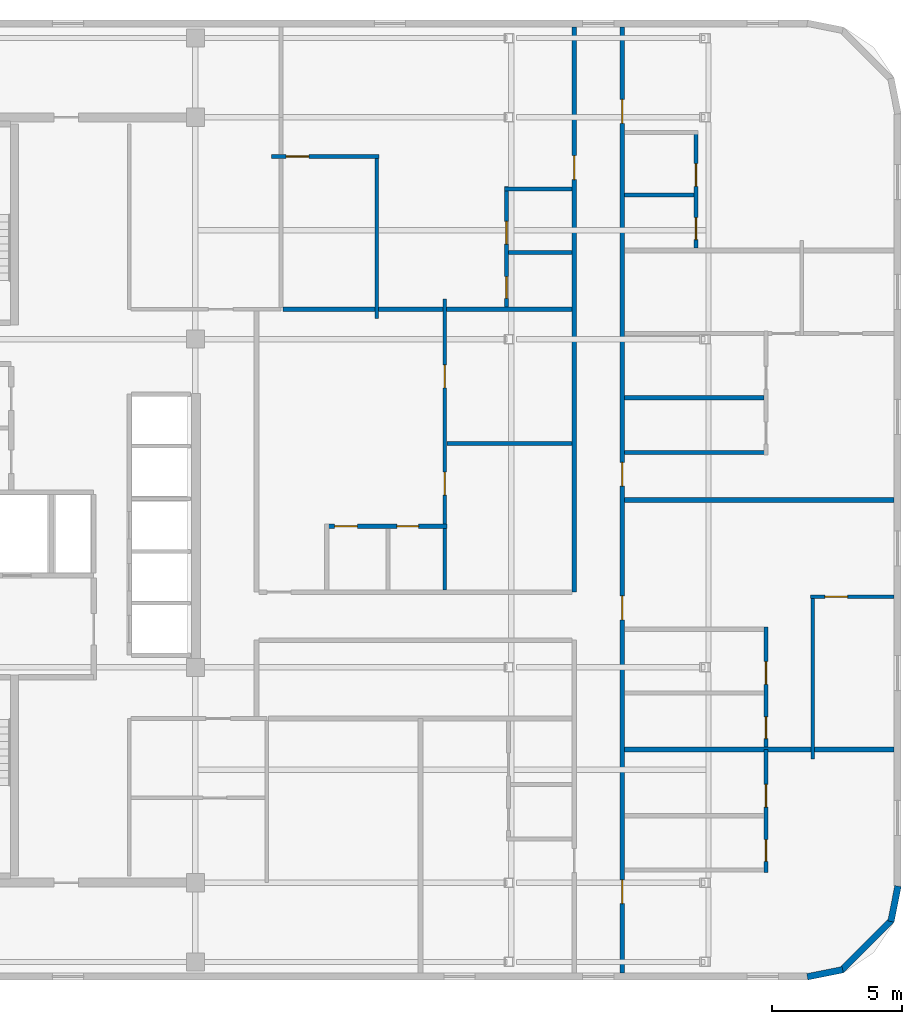
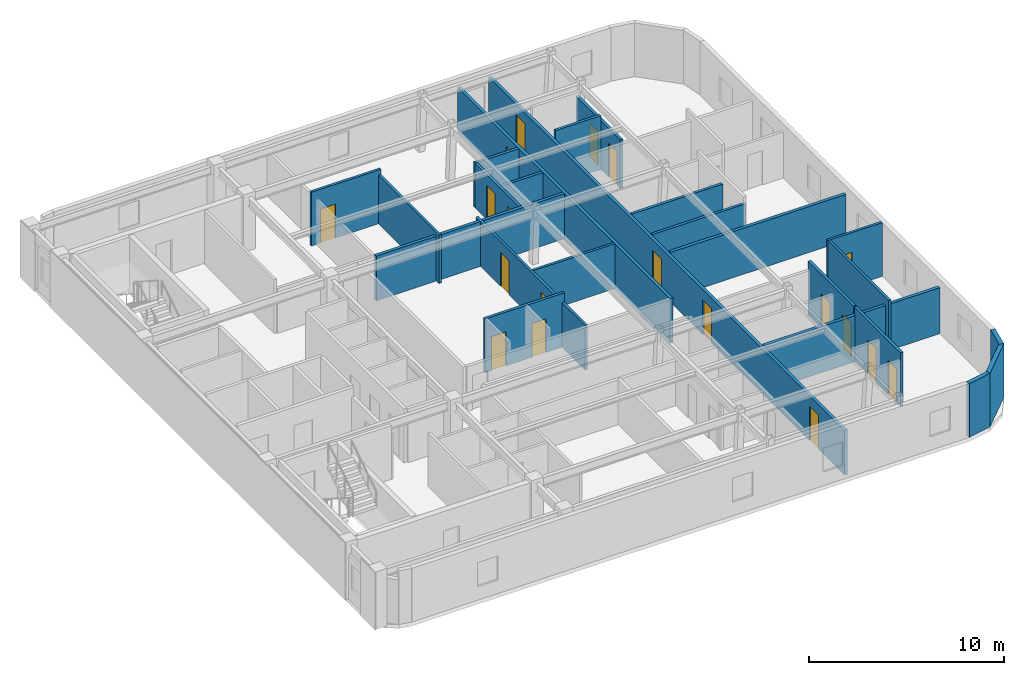
# One storey, part 4 of 7: 24 walls, 19 doors, 19 openings.
"""IFC4 building model written with IfcOpenShell, lengths in metres."""

from ifc_helpers import new_model, si_unit, direction, frame, frame_2d, origin, place, context, subcontext, project, spatial, rectangle, extrude, material, layer, layer_set, type_object, element, fill, save


model = new_model("IFC4")

# Units and contexts
model_context = context("Model", 3, precision=1e-05, world=origin(), true_north=direction((0.0, 1.0)))
body_context = subcontext(model_context, "Body", "Model", "MODEL_VIEW")
ifc_project = project(units=[si_unit("LENGTHUNIT", "METRE"), si_unit("AREAUNIT", "SQUARE_METRE"), si_unit("VOLUMEUNIT", "CUBIC_METRE"), si_unit("PLANEANGLEUNIT", "RADIAN"), si_unit("MASSUNIT", "GRAM", prefix="KILO")], contexts=[model_context])

# Site, building, storey
site_placement = place(None, origin())
site = spatial("IfcSite", under=ifc_project, at=site_placement, CompositionType="ELEMENT")
building_placement = place(site_placement, origin())
building = spatial("IfcBuilding", under=site, at=building_placement, Name="Ochreholt Gables", CompositionType="ELEMENT")
storey_placement = place(building_placement, frame((0.0, 0.0, 209.39990234375)))
storey = spatial("IfcBuildingStorey", under=building, at=storey_placement, Name="L54", CompositionType="ELEMENT", Elevation=209.39990234375)

# Walls
ifc_material_1 = material(Name="Precast concrete 40 MPa", Category="concrete")
ifc_layer_1 = layer(ifc_material_1, 0.25, Name="Precast concrete 40 MPa")
ifc_layer_set_1 = layer_set([ifc_layer_1], Name="Precast concrete 40 MPa")
wall_type_1 = type_object("IfcWallType", Name="WALL-EXT-CNR", PredefinedType="SOLIDWALL", material=ifc_layer_set_1)
wall_1_placement = place(storey_placement, frame((58.783447265625, 5.624267578125, 0.0), z_axis=(0.0, 0.0, 1.0), x_axis=(0.980809899341, 0.19496651342, 0.0)))
element("IfcWall", 1, at=wall_1_placement, inside=storey, type_object=wall_type_1, Name="L54 Rounded Corner Wall SE-1", PredefinedType="SOLIDWALL", context=body_context, shape_type="SweptSolid", body=[
    extrude(rectangle(XDim=1.388671875, YDim=0.25, at=frame_2d((0.6943359375, 0.0))), origin(), (0.0, 0.0, 1.0), 3.360107421875),
])
wall_2_placement = place(storey_placement, frame((60.094970703125, 5.867919921875, 0.0), z_axis=(0.0, 0.0, 1.0), x_axis=(0.707106781187, 0.707106781187, 0.0)))
element("IfcWall", 2, at=wall_2_placement, inside=storey, type_object=wall_type_1, Name="L54 Rounded Corner Wall SE-2", PredefinedType="SOLIDWALL", context=body_context, shape_type="SweptSolid", body=[
    extrude(rectangle(XDim=2.7392578125, YDim=0.25, at=frame_2d((1.36962890625, 0.0))), origin(), (0.0, 0.0, 1.0), 3.360107421875),
])
wall_3_placement = place(storey_placement, frame((62.0048828125, 7.75439453125, 0.0), z_axis=(0.0, 0.0, 1.0), x_axis=(0.195135625965, 0.9807762678, 0.0)))
element("IfcWall", 3, at=wall_3_placement, inside=storey, type_object=wall_type_1, Name="L54 Rounded Corner Wall SE-3", PredefinedType="SOLIDWALL", context=body_context, shape_type="SweptSolid", body=[
    extrude(rectangle(XDim=1.388671875, YDim=0.25, at=frame_2d((0.6943359375, 0.0))), origin(), (0.0, 0.0, 1.0), 3.360107421875),
])

# Wall, opening, door
ifc_material_2 = material(Name="Fire-Rated Gypsum Acoustic Partition", Category="gypsum")
ifc_layer_2 = layer(ifc_material_2, 0.179931640625, Name="Fire-Rated Gypsum Acoustic Partition")
ifc_layer_set_2 = layer_set([ifc_layer_2], Name="Fire-Rated Gypsum Acoustic Partition")
wall_type_2 = type_object("IfcWallType", Name="WALL-INT-CR180", PredefinedType="STANDARD", material=ifc_layer_set_2)
wall_4_placement = place(storey_placement, frame((49.800048828125, 20.449951171875, 0.0), z_axis=(0.0, 0.0, 1.0), x_axis=(0.0, 1.0, 0.0)))
wall_4 = element("IfcWall", 4, at=wall_4_placement, inside=storey, type_object=wall_type_2, Name="L54 Interior Wall WI-C3GW2-L54", PredefinedType="STANDARD", context=body_context, shape_type="SweptSolid", body=[
    extrude(rectangle(XDim=21.780029296875, YDim=0.179931640625, at=frame_2d((10.89013671875, 0.0))), origin(), (0.0, 0.0, 1.0), 2.802978515625),
])
opening_1_placement = place(wall_4_placement, frame((15.89990234375, 0.0, 0.0)))
opening_1 = element("IfcOpeningElement", 5, at=opening_1_placement, cuts=wall_4, Name="Opening D-UN1", PredefinedType="OPENING", context=body_context, shape_type="SweptSolid", body=[
    extrude(rectangle(XDim=0.919921875, YDim=2.14990234375, at=frame_2d((0.4599609375, 1.074951171875))), frame((0.0, 0.099853515625, 0.0), z_axis=(0.0, -1.0, 0.0), x_axis=(1.0, 0.0, 0.0)), (0.0, 0.0, 1.0), 0.199951171875),
])
ifc_material_3 = material(Name="Engineered Oak Timber", Category="wood")
door_type_1 = type_object("IfcDoorType", Name="DR-INT-UNT920", OperationType="NOTDEFINED", PredefinedType="DOOR", material=ifc_material_3)
door_1_placement = place(opening_1_placement, origin())
door_1 = element("IfcDoor", 6, at=door_1_placement, inside=storey, type_object=door_type_1, Name="L54 Door D-U-L54NM2-ENT", OperationType="SINGLE_SWING_LEFT", OverallHeight=2.14990234375, OverallWidth=0.919921875, PredefinedType="DOOR", context=body_context, shape_type="SweptSolid", body=[
    extrude(rectangle(XDim=0.919921875, YDim=2.14990234375, at=frame_2d((0.4599609375, 1.074951171875))), frame((0.0, 0.02490234375, 0.0), z_axis=(0.0, -1.0, 0.0), x_axis=(1.0, 0.0, 0.0)), (0.0, 0.0, 1.0), 0.050048828125),
])
fill(opening_1, door_1)

# Wall, openings, doors
wall_5_placement = place(storey_placement, frame((51.64990234375, 5.77001953125, 0.0), z_axis=(0.0, 0.0, 1.0), x_axis=(0.0, 1.0, 0.0)))
wall_5 = element("IfcWall", 7, at=wall_5_placement, inside=storey, type_object=wall_type_2, Name="L54 Interior Wall WI-C3GE-L54", PredefinedType="STANDARD", context=body_context, shape_type="SweptSolid", body=[
    extrude(rectangle(XDim=36.4599609375, YDim=0.179931640625, at=frame_2d((18.22998046875, 0.0))), origin(), (0.0, 0.0, 1.0), 2.802978515625),
])
opening_2_placement = place(wall_5_placement, frame((2.669921875, 0.0, 0.0)))
opening_2 = element("IfcOpeningElement", 8, at=opening_2_placement, cuts=wall_5, Name="Opening D-UN1", PredefinedType="OPENING", context=body_context, shape_type="SweptSolid", body=[
    extrude(rectangle(XDim=0.919921875, YDim=2.14990234375, at=frame_2d((0.4599609375, 1.074951171875))), frame((0.0, 0.099853515625, 0.0), z_axis=(0.0, -1.0, 0.0), x_axis=(1.0, 0.0, 0.0)), (0.0, 0.0, 1.0), 0.199951171875),
])
opening_3_placement = place(wall_5_placement, frame((13.610107421875, 0.0, 0.0)))
opening_3 = element("IfcOpeningElement", 9, at=opening_3_placement, cuts=wall_5, Name="Opening D-UN1", PredefinedType="OPENING", context=body_context, shape_type="SweptSolid", body=[
    extrude(rectangle(XDim=0.919921875, YDim=2.14990234375, at=frame_2d((0.4599609375, 1.074951171875))), frame((0.0, 0.099853515625, 0.0), z_axis=(0.0, -1.0, 0.0), x_axis=(1.0, 0.0, 0.0)), (0.0, 0.0, 1.0), 0.199951171875),
])
opening_4_placement = place(wall_5_placement, frame((18.760009765625, 0.0, 0.0)))
opening_4 = element("IfcOpeningElement", 10, at=opening_4_placement, cuts=wall_5, Name="Opening D-UN1", PredefinedType="OPENING", context=body_context, shape_type="SweptSolid", body=[
    extrude(rectangle(XDim=0.919921875, YDim=2.14990234375, at=frame_2d((0.4599609375, 1.074951171875))), frame((0.0, 0.099853515625, 0.0), z_axis=(0.0, -1.0, 0.0), x_axis=(1.0, 0.0, 0.0)), (0.0, 0.0, 1.0), 0.199951171875),
])
opening_5_placement = place(wall_5_placement, frame((32.75, 0.0, 0.0)))
opening_5 = element("IfcOpeningElement", 11, at=opening_5_placement, cuts=wall_5, Name="Opening D-UN1", PredefinedType="OPENING", context=body_context, shape_type="SweptSolid", body=[
    extrude(rectangle(XDim=0.919921875, YDim=2.14990234375, at=frame_2d((0.4599609375, 1.074951171875))), frame((0.0, 0.099853515625, 0.0), z_axis=(0.0, -1.0, 0.0), x_axis=(1.0, 0.0, 0.0)), (0.0, 0.0, 1.0), 0.199951171875),
])
door_2_placement = place(opening_2_placement, origin())
door_2 = element("IfcDoor", 12, at=door_2_placement, inside=storey, type_object=door_type_1, Name="L54 Door D-U-L54E1-ENT", OperationType="SINGLE_SWING_RIGHT", OverallHeight=2.14990234375, OverallWidth=0.919921875, PredefinedType="DOOR", context=body_context, shape_type="SweptSolid", body=[
    extrude(rectangle(XDim=0.919921875, YDim=2.14990234375, at=frame_2d((0.4599609375, 1.074951171875))), frame((0.0, 0.02490234375, 0.0), z_axis=(0.0, -1.0, 0.0), x_axis=(1.0, 0.0, 0.0)), (0.0, 0.0, 1.0), 0.050048828125),
])
fill(opening_2, door_2)
door_3_placement = place(opening_3_placement, origin())
door_3 = element("IfcDoor", 13, at=door_3_placement, inside=storey, type_object=door_type_1, Name="L54 Door D-U-L54E2-ENT", OperationType="SINGLE_SWING_LEFT", OverallHeight=2.14990234375, OverallWidth=0.919921875, PredefinedType="DOOR", context=body_context, shape_type="SweptSolid", body=[
    extrude(rectangle(XDim=0.919921875, YDim=2.14990234375, at=frame_2d((0.4599609375, 1.074951171875))), frame((0.0, 0.02490234375, 0.0), z_axis=(0.0, -1.0, 0.0), x_axis=(1.0, 0.0, 0.0)), (0.0, 0.0, 1.0), 0.050048828125),
])
fill(opening_3, door_3)
door_4_placement = place(opening_4_placement, origin())
door_4 = element("IfcDoor", 14, at=door_4_placement, inside=storey, type_object=door_type_1, Name="L54 Door D-U-L54E3-ENT", OperationType="SINGLE_SWING_RIGHT", OverallHeight=2.14990234375, OverallWidth=0.919921875, PredefinedType="DOOR", context=body_context, shape_type="SweptSolid", body=[
    extrude(rectangle(XDim=0.919921875, YDim=2.14990234375, at=frame_2d((0.4599609375, 1.074951171875))), frame((0.0, 0.02490234375, 0.0), z_axis=(0.0, -1.0, 0.0), x_axis=(1.0, 0.0, 0.0)), (0.0, 0.0, 1.0), 0.050048828125),
])
fill(opening_4, door_4)
door_5_placement = place(opening_5_placement, origin())
door_5 = element("IfcDoor", 15, at=door_5_placement, inside=storey, type_object=door_type_1, Name="L54 Door D-U-L54E4-ENT", OperationType="SINGLE_SWING_LEFT", OverallHeight=2.14990234375, OverallWidth=0.919921875, PredefinedType="DOOR", context=body_context, shape_type="SweptSolid", body=[
    extrude(rectangle(XDim=0.919921875, YDim=2.14990234375, at=frame_2d((0.4599609375, 1.074951171875))), frame((0.0, 0.02490234375, 0.0), z_axis=(0.0, -1.0, 0.0), x_axis=(1.0, 0.0, 0.0)), (0.0, 0.0, 1.0), 0.050048828125),
])
fill(opening_5, door_5)

# Walls
ifc_material_4 = material(Name="Double-Stud Acoustic Demising Wall", Category="gypsum")
ifc_layer_3 = layer(ifc_material_4, 0.18505859375, Name="Double-Stud Acoustic Demising Wall")
ifc_layer_set_3 = layer_set([ifc_layer_3], Name="Double-Stud Acoustic Demising Wall")
wall_type_3 = type_object("IfcWallType", Name="WALL-INT-DM185", PredefinedType="PARTITIONING", material=ifc_layer_set_3)
for number, where, z_axis, x_axis, name in (
    (16, (51.739990234375, 14.3798828125, 0.0), (0.0, 0.0, 1.0), (1.0, 0.0, 0.0), "L54 Interior Wall WI-C3UDE2-L54"),
    (17, (51.739990234375, 24.0, 0.0), (0.0, 0.0, 1.0), (1.0, 0.0, 0.0), "L54 Interior Wall WI-C3UDE3-L54"),
):
    element("IfcWall", number, at=place(storey_placement, frame(where, z_axis=z_axis, x_axis=x_axis)), inside=storey, type_object=wall_type_3, Name=name, PredefinedType="PARTITIONING", context=body_context, shape_type="SweptSolid", body=[
        extrude(rectangle(XDim=10.389892578125, YDim=0.18505859375, at=frame_2d((5.19482421875, 0.0))), origin(), (0.0, 0.0, 1.0), 2.879150390625),
    ])
wall_6_placement = place(storey_placement, frame((38.572509765625, 31.35009765625, 0.0), z_axis=(0.0, 0.0, 1.0), x_axis=(1.0, 0.0, 0.0)))
element("IfcWall", 18, at=wall_6_placement, inside=storey, type_object=wall_type_3, Name="L54 Interior Wall WI-C3NMY-L54", PredefinedType="PARTITIONING", context=body_context, shape_type="SweptSolid", body=[
    extrude(rectangle(XDim=11.137451171875, YDim=0.18505859375, at=frame_2d((5.56884765625, 0.0))), origin(), (0.0, 0.0, 1.0), 2.802978515625),
])

# Wall, openings, doors
ifc_material_5 = material(Name="Moisture-Resistant Plumbing Chase Wall", Category="gypsum")
ifc_layer_4 = layer(ifc_material_5, 0.159912109375, Name="Moisture-Resistant Plumbing Chase Wall")
ifc_layer_set_4 = layer_set([ifc_layer_4], Name="Moisture-Resistant Plumbing Chase Wall")
wall_type_4 = type_object("IfcWallType", Name="WALL-INT-PL160", PredefinedType="PLUMBINGWALL", material=ifc_layer_set_4)
wall_7_placement = place(storey_placement, frame((57.18994140625, 9.64990234375, 0.0), z_axis=(0.0, 0.0, 1.0), x_axis=(0.0, 1.0, 0.0)))
wall_7 = element("IfcWall", 19, at=wall_7_placement, inside=storey, type_object=wall_type_4, Name="L54 Interior Wall WU-L54E1-WX", PredefinedType="PLUMBINGWALL", context=body_context, shape_type="SweptSolid", body=[
    extrude(rectangle(XDim=4.72998046875, YDim=0.159912109375, at=frame_2d((2.364990234375, 0.0))), origin(), (0.0, 0.0, 1.0), 3.360107421875),
])
opening_6_placement = place(wall_7_placement, frame((0.419921875, 0.0, 0.0)))
opening_6 = element("IfcOpeningElement", 20, at=opening_6_placement, cuts=wall_7, Name="Opening D-BT2", PredefinedType="OPENING", context=body_context, shape_type="SweptSolid", body=[
    extrude(rectangle(XDim=0.840087890625, YDim=2.1201171875, at=frame_2d((0.419921875, 1.06005859375))), frame((0.0, 0.08984375, 0.0), z_axis=(0.0, -1.0, 0.0), x_axis=(1.0, 0.0, 0.0)), (0.0, 0.0, 1.0), 0.179931640625),
])
opening_7_placement = place(wall_7_placement, frame((2.512939453125, 0.0, 0.0)))
opening_7 = element("IfcOpeningElement", 21, at=opening_7_placement, cuts=wall_7, Name="Opening D-GN2", PredefinedType="OPENING", context=body_context, shape_type="SweptSolid", body=[
    extrude(rectangle(XDim=0.8798828125, YDim=2.1201171875, at=frame_2d((0.43994140625, 1.06005859375))), frame((0.0, 0.08984375, 0.0), z_axis=(0.0, -1.0, 0.0), x_axis=(1.0, 0.0, 0.0)), (0.0, 0.0, 1.0), 0.179931640625),
])
door_type_2 = type_object("IfcDoorType", Name="DR-INT-BTH840", OperationType="NOTDEFINED", PredefinedType="DOOR", material=ifc_material_3)
door_6_placement = place(opening_6_placement, origin())
door_6 = element("IfcDoor", 22, at=door_6_placement, inside=storey, type_object=door_type_2, Name="L54 Door D-U-L54E1-BTH", OperationType="SINGLE_SWING_LEFT", OverallHeight=2.1201171875, OverallWidth=0.840087890625, PredefinedType="DOOR", context=body_context, shape_type="SweptSolid", body=[
    extrude(rectangle(XDim=0.840087890625, YDim=2.1201171875, at=frame_2d((0.419921875, 1.06005859375))), frame((0.0, 0.02490234375, 0.0), z_axis=(0.0, -1.0, 0.0), x_axis=(1.0, 0.0, 0.0)), (0.0, 0.0, 1.0), 0.050048828125),
])
fill(opening_6, door_6)
door_type_3 = type_object("IfcDoorType", Name="DR-INT-GEN880", OperationType="NOTDEFINED", PredefinedType="DOOR", material=ifc_material_3)
door_7_placement = place(opening_7_placement, origin())
door_7 = element("IfcDoor", 23, at=door_7_placement, inside=storey, type_object=door_type_3, Name="L54 Door D-U-L54E1-KIT", OperationType="SINGLE_SWING_RIGHT", OverallHeight=2.1201171875, OverallWidth=0.8798828125, PredefinedType="DOOR", context=body_context, shape_type="SweptSolid", body=[
    extrude(rectangle(XDim=0.8798828125, YDim=2.1201171875, at=frame_2d((0.43994140625, 1.06005859375))), frame((0.0, 0.02490234375, 0.0), z_axis=(0.0, -1.0, 0.0), x_axis=(1.0, 0.0, 0.0)), (0.0, 0.0, 1.0), 0.050048828125),
])
fill(opening_7, door_7)

wall_8_placement = place(storey_placement, frame((57.18994140625, 14.472412109375, 0.0), z_axis=(0.0, 0.0, 1.0), x_axis=(0.0, 1.0, 0.0)))
wall_8 = element("IfcWall", 24, at=wall_8_placement, inside=storey, type_object=wall_type_4, Name="L54 Interior Wall WU-L54E2-WX", PredefinedType="PLUMBINGWALL", context=body_context, shape_type="SweptSolid", body=[
    extrude(rectangle(XDim=4.6376953125, YDim=0.159912109375, at=frame_2d((2.31884765625, 0.0))), origin(), (0.0, 0.0, 1.0), 3.360107421875),
])
opening_8_placement = place(wall_8_placement, frame((0.327392578125, 0.0, 0.0)))
opening_8 = element("IfcOpeningElement", 25, at=opening_8_placement, cuts=wall_8, Name="Opening D-BT2", PredefinedType="OPENING", context=body_context, shape_type="SweptSolid", body=[
    extrude(rectangle(XDim=0.840087890625, YDim=2.1201171875, at=frame_2d((0.419921875, 1.06005859375))), frame((0.0, 0.08984375, 0.0), z_axis=(0.0, -1.0, 0.0), x_axis=(1.0, 0.0, 0.0)), (0.0, 0.0, 1.0), 0.179931640625),
])
opening_9_placement = place(wall_8_placement, frame((2.42041015625, 0.0, 0.0)))
opening_9 = element("IfcOpeningElement", 26, at=opening_9_placement, cuts=wall_8, Name="Opening D-GN2", PredefinedType="OPENING", context=body_context, shape_type="SweptSolid", body=[
    extrude(rectangle(XDim=0.8798828125, YDim=2.1201171875, at=frame_2d((0.43994140625, 1.06005859375))), frame((0.0, 0.08984375, 0.0), z_axis=(0.0, -1.0, 0.0), x_axis=(1.0, 0.0, 0.0)), (0.0, 0.0, 1.0), 0.179931640625),
])
door_8_placement = place(opening_8_placement, origin())
door_8 = element("IfcDoor", 27, at=door_8_placement, inside=storey, type_object=door_type_2, Name="L54 Door D-U-L54E2-BTH", OperationType="SINGLE_SWING_RIGHT", OverallHeight=2.1201171875, OverallWidth=0.840087890625, PredefinedType="DOOR", context=body_context, shape_type="SweptSolid", body=[
    extrude(rectangle(XDim=0.840087890625, YDim=2.1201171875, at=frame_2d((0.419921875, 1.06005859375))), frame((0.0, 0.02490234375, 0.0), z_axis=(0.0, -1.0, 0.0), x_axis=(1.0, 0.0, 0.0)), (0.0, 0.0, 1.0), 0.050048828125),
])
fill(opening_8, door_8)
door_9_placement = place(opening_9_placement, origin())
door_9 = element("IfcDoor", 28, at=door_9_placement, inside=storey, type_object=door_type_3, Name="L54 Door D-U-L54E2-KIT", OperationType="SINGLE_SWING_LEFT", OverallHeight=2.1201171875, OverallWidth=0.8798828125, PredefinedType="DOOR", context=body_context, shape_type="SweptSolid", body=[
    extrude(rectangle(XDim=0.8798828125, YDim=2.1201171875, at=frame_2d((0.43994140625, 1.06005859375))), frame((0.0, 0.02490234375, 0.0), z_axis=(0.0, -1.0, 0.0), x_axis=(1.0, 0.0, 0.0)), (0.0, 0.0, 1.0), 0.050048828125),
])
fill(opening_9, door_9)

# Walls
wall_9_placement = place(storey_placement, frame((51.739990234375, 25.830078125, 0.0), z_axis=(0.0, 0.0, 1.0), x_axis=(1.0, 0.0, 0.0)))
element("IfcWall", 29, at=wall_9_placement, inside=storey, type_object=wall_type_4, Name="L54 Interior Wall WU-L54E3-FYS", PredefinedType="PLUMBINGWALL", context=body_context, shape_type="SweptSolid", body=[
    extrude(rectangle(XDim=5.530029296875, YDim=0.159912109375, at=frame_2d((2.76513671875, 0.0))), origin(), (0.0, 0.0, 1.0), 2.879150390625),
])
wall_10_placement = place(storey_placement, frame((51.739990234375, 27.93896484375, 0.0), z_axis=(0.0, 0.0, 1.0), x_axis=(1.0, 0.0, 0.0)))
element("IfcWall", 30, at=wall_10_placement, inside=storey, type_object=wall_type_4, Name="L54 Interior Wall WU-L54E3-WK", PredefinedType="PLUMBINGWALL", context=body_context, shape_type="SweptSolid", body=[
    extrude(rectangle(XDim=5.3701171875, YDim=0.159912109375, at=frame_2d((2.68505859375, 0.0))), origin(), (0.0, 0.0, 1.0), 2.879150390625),
])

# Wall, openings, doors
wall_11_placement = place(storey_placement, frame((54.493896484375, 33.71240234375, 0.0), z_axis=(0.0, 0.0, 1.0), x_axis=(0.0, 1.0, 0.0)))
wall_11 = element("IfcWall", 31, at=wall_11_placement, inside=storey, type_object=wall_type_4, Name="L54 Interior Wall WU-L54E4-WX", PredefinedType="PLUMBINGWALL", context=body_context, shape_type="SweptSolid", body=[
    extrude(rectangle(XDim=4.53759765625, YDim=0.159912109375, at=frame_2d((2.268798828125, 0.0))), origin(), (0.0, 0.0, 1.0), 3.0390625),
])
opening_10_placement = place(wall_11_placement, frame((0.327392578125, 0.0, 0.0)))
opening_10 = element("IfcOpeningElement", 32, at=opening_10_placement, cuts=wall_11, Name="Opening D-BT2", PredefinedType="OPENING", context=body_context, shape_type="SweptSolid", body=[
    extrude(rectangle(XDim=0.840087890625, YDim=2.1201171875, at=frame_2d((0.419921875, 1.06005859375))), frame((0.0, 0.08984375, 0.0), z_axis=(0.0, -1.0, 0.0), x_axis=(1.0, 0.0, 0.0)), (0.0, 0.0, 1.0), 0.179931640625),
])
opening_11_placement = place(wall_11_placement, frame((2.37451171875, 0.0, 0.0)))
opening_11 = element("IfcOpeningElement", 33, at=opening_11_placement, cuts=wall_11, Name="Opening D-GN2", PredefinedType="OPENING", context=body_context, shape_type="SweptSolid", body=[
    extrude(rectangle(XDim=0.8798828125, YDim=2.1201171875, at=frame_2d((0.43994140625, 1.06005859375))), frame((0.0, 0.08984375, 0.0), z_axis=(0.0, -1.0, 0.0), x_axis=(1.0, 0.0, 0.0)), (0.0, 0.0, 1.0), 0.179931640625),
])
door_10_placement = place(opening_10_placement, origin())
door_10 = element("IfcDoor", 34, at=door_10_placement, inside=storey, type_object=door_type_2, Name="L54 Door D-U-L54E4-BTH", OperationType="SINGLE_SWING_RIGHT", OverallHeight=2.1201171875, OverallWidth=0.840087890625, PredefinedType="DOOR", context=body_context, shape_type="SweptSolid", body=[
    extrude(rectangle(XDim=0.840087890625, YDim=2.1201171875, at=frame_2d((0.419921875, 1.06005859375))), frame((0.0, 0.02490234375, 0.0), z_axis=(0.0, -1.0, 0.0), x_axis=(1.0, 0.0, 0.0)), (0.0, 0.0, 1.0), 0.050048828125),
])
fill(opening_10, door_10)
door_11_placement = place(opening_11_placement, origin())
door_11 = element("IfcDoor", 35, at=door_11_placement, inside=storey, type_object=door_type_3, Name="L54 Door D-U-L54E4-KIT", OperationType="SINGLE_SWING_LEFT", OverallHeight=2.1201171875, OverallWidth=0.8798828125, PredefinedType="DOOR", context=body_context, shape_type="SweptSolid", body=[
    extrude(rectangle(XDim=0.8798828125, YDim=2.1201171875, at=frame_2d((0.43994140625, 1.06005859375))), frame((0.0, 0.02490234375, 0.0), z_axis=(0.0, -1.0, 0.0), x_axis=(1.0, 0.0, 0.0)), (0.0, 0.0, 1.0), 0.050048828125),
])
fill(opening_11, door_11)

# Wall
wall_12_placement = place(storey_placement, frame((51.739990234375, 35.757080078125, 0.0), z_axis=(0.0, 0.0, 1.0), x_axis=(1.0, 0.0, 0.0)))
element("IfcWall", 36, at=wall_12_placement, inside=storey, type_object=wall_type_4, Name="L54 Interior Wall WU-L54E4-WM", PredefinedType="PLUMBINGWALL", context=body_context, shape_type="SweptSolid", body=[
    extrude(rectangle(XDim=2.674072265625, YDim=0.159912109375, at=frame_2d((1.3369140625, 0.0))), origin(), (0.0, 0.0, 1.0), 3.360107421875),
])

# Wall, openings, doors
wall_13_placement = place(storey_placement, frame((40.179931640625, 22.989990234375, 0.0), z_axis=(0.0, 0.0, 1.0), x_axis=(1.0, 0.0, 0.0)))
wall_13 = element("IfcWall", 37, at=wall_13_placement, inside=storey, type_object=wall_type_4, Name="L54 Interior Wall WU-L54NM1-WY", PredefinedType="PLUMBINGWALL", context=body_context, shape_type="SweptSolid", body=[
    extrude(rectangle(XDim=4.7099609375, YDim=0.159912109375, at=frame_2d((2.35498046875, 0.0))), origin(), (0.0, 0.0, 1.0), 3.360107421875),
])
opening_12_placement = place(wall_13_placement, frame((0.3798828125, 0.0, 0.0)))
opening_12 = element("IfcOpeningElement", 38, at=opening_12_placement, cuts=wall_13, Name="Opening D-GN2", PredefinedType="OPENING", context=body_context, shape_type="SweptSolid", body=[
    extrude(rectangle(XDim=0.8798828125, YDim=2.1201171875, at=frame_2d((0.43994140625, 1.06005859375))), frame((0.0, 0.08984375, 0.0), z_axis=(0.0, -1.0, 0.0), x_axis=(1.0, 0.0, 0.0)), (0.0, 0.0, 1.0), 0.179931640625),
])
opening_13_placement = place(wall_13_placement, frame((2.785888671875, 0.0, 0.0)))
opening_13 = element("IfcOpeningElement", 39, at=opening_13_placement, cuts=wall_13, Name="Opening D-BT2", PredefinedType="OPENING", context=body_context, shape_type="SweptSolid", body=[
    extrude(rectangle(XDim=0.840087890625, YDim=2.1201171875, at=frame_2d((0.419921875, 1.06005859375))), frame((0.0, 0.08984375, 0.0), z_axis=(0.0, -1.0, 0.0), x_axis=(1.0, 0.0, 0.0)), (0.0, 0.0, 1.0), 0.179931640625),
])
door_12_placement = place(opening_13_placement, origin())
door_12 = element("IfcDoor", 40, at=door_12_placement, inside=storey, type_object=door_type_2, Name="L54 Door D-U-L54NM1-BTH", OperationType="SINGLE_SWING_RIGHT", OverallHeight=2.1201171875, OverallWidth=0.840087890625, PredefinedType="DOOR", context=body_context, shape_type="SweptSolid", body=[
    extrude(rectangle(XDim=0.840087890625, YDim=2.1201171875, at=frame_2d((0.419921875, 1.06005859375))), frame((0.0, 0.02490234375, 0.0), z_axis=(0.0, -1.0, 0.0), x_axis=(1.0, 0.0, 0.0)), (0.0, 0.0, 1.0), 0.050048828125),
])
fill(opening_13, door_12)
door_13_placement = place(opening_12_placement, origin())
door_13 = element("IfcDoor", 41, at=door_13_placement, inside=storey, type_object=door_type_3, Name="L54 Door D-U-L54NM1-KIT", OperationType="SINGLE_SWING_LEFT", OverallHeight=2.1201171875, OverallWidth=0.8798828125, PredefinedType="DOOR", context=body_context, shape_type="SweptSolid", body=[
    extrude(rectangle(XDim=0.8798828125, YDim=2.1201171875, at=frame_2d((0.43994140625, 1.06005859375))), frame((0.0, 0.02490234375, 0.0), z_axis=(0.0, -1.0, 0.0), x_axis=(1.0, 0.0, 0.0)), (0.0, 0.0, 1.0), 0.050048828125),
])
fill(opening_12, door_13)

# Wall
wall_14_placement = place(storey_placement, frame((47.10400390625, 35.989990234375, 0.0), z_axis=(0.0, 0.0, 1.0), x_axis=(1.0, 0.0, 0.0)))
element("IfcWall", 42, at=wall_14_placement, inside=storey, type_object=wall_type_4, Name="L54 Interior Wall WU-L54NM2-WYN", PredefinedType="PLUMBINGWALL", context=body_context, shape_type="SweptSolid", body=[
    extrude(rectangle(XDim=2.60595703125, YDim=0.159912109375, at=frame_2d((1.302978515625, 0.0))), origin(), (0.0, 0.0, 1.0), 2.802978515625),
])

# Wall, openings, doors
wall_15_placement = place(storey_placement, frame((47.18408203125, 31.4423828125, 0.0), z_axis=(0.0, 0.0, 1.0), x_axis=(0.0, 1.0, 0.0)))
wall_15 = element("IfcWall", 43, at=wall_15_placement, inside=storey, type_object=wall_type_4, Name="L54 Interior Wall WU-L54NM2-WX", PredefinedType="PLUMBINGWALL", context=body_context, shape_type="SweptSolid", body=[
    extrude(rectangle(XDim=4.6376953125, YDim=0.159912109375, at=frame_2d((2.31884765625, 0.0))), origin(), (0.0, 0.0, 1.0), 2.802978515625),
])
opening_14_placement = place(wall_15_placement, frame((0.327392578125, 0.0, 0.0)))
opening_14 = element("IfcOpeningElement", 44, at=opening_14_placement, cuts=wall_15, Name="Opening D-BT2", PredefinedType="OPENING", context=body_context, shape_type="SweptSolid", body=[
    extrude(rectangle(XDim=0.840087890625, YDim=2.1201171875, at=frame_2d((0.419921875, 1.06005859375))), frame((0.0, 0.08984375, 0.0), z_axis=(0.0, -1.0, 0.0), x_axis=(1.0, 0.0, 0.0)), (0.0, 0.0, 1.0), 0.179931640625),
])
opening_15_placement = place(wall_15_placement, frame((2.42041015625, 0.0, 0.0)))
opening_15 = element("IfcOpeningElement", 45, at=opening_15_placement, cuts=wall_15, Name="Opening D-GN2", PredefinedType="OPENING", context=body_context, shape_type="SweptSolid", body=[
    extrude(rectangle(XDim=0.8798828125, YDim=2.1201171875, at=frame_2d((0.43994140625, 1.06005859375))), frame((0.0, 0.08984375, 0.0), z_axis=(0.0, -1.0, 0.0), x_axis=(1.0, 0.0, 0.0)), (0.0, 0.0, 1.0), 0.179931640625),
])
door_14_placement = place(opening_14_placement, origin())
door_14 = element("IfcDoor", 46, at=door_14_placement, inside=storey, type_object=door_type_2, Name="L54 Door D-U-L54NM2-BTH", OperationType="SINGLE_SWING_RIGHT", OverallHeight=2.1201171875, OverallWidth=0.840087890625, PredefinedType="DOOR", context=body_context, shape_type="SweptSolid", body=[
    extrude(rectangle(XDim=0.840087890625, YDim=2.1201171875, at=frame_2d((0.419921875, 1.06005859375))), frame((0.0, 0.02490234375, 0.0), z_axis=(0.0, -1.0, 0.0), x_axis=(1.0, 0.0, 0.0)), (0.0, 0.0, 1.0), 0.050048828125),
])
fill(opening_14, door_14)
door_15_placement = place(opening_15_placement, origin())
door_15 = element("IfcDoor", 47, at=door_15_placement, inside=storey, type_object=door_type_3, Name="L54 Door D-U-L54NM2-KIT", OperationType="SINGLE_SWING_LEFT", OverallHeight=2.1201171875, OverallWidth=0.8798828125, PredefinedType="DOOR", context=body_context, shape_type="SweptSolid", body=[
    extrude(rectangle(XDim=0.8798828125, YDim=2.1201171875, at=frame_2d((0.43994140625, 1.06005859375))), frame((0.0, 0.02490234375, 0.0), z_axis=(0.0, -1.0, 0.0), x_axis=(1.0, 0.0, 0.0)), (0.0, 0.0, 1.0), 0.050048828125),
])
fill(opening_15, door_15)

# Walls
wall_16_placement = place(storey_placement, frame((47.263916015625, 33.532958984375, 0.0), z_axis=(0.0, 0.0, 1.0), x_axis=(1.0, 0.0, 0.0)))
element("IfcWall", 48, at=wall_16_placement, inside=storey, type_object=wall_type_4, Name="L54 Interior Wall WU-L54NM2-WM", PredefinedType="PLUMBINGWALL", context=body_context, shape_type="SweptSolid", body=[
    extrude(rectangle(XDim=2.446044921875, YDim=0.159912109375, at=frame_2d((1.22314453125, 0.0))), origin(), (0.0, 0.0, 1.0), 2.802978515625),
])
ifc_material_6 = material(Name="Lightweight Stud Partition", Category="gypsum")
ifc_layer_5 = layer(ifc_material_6, 0.14501953125, Name="Lightweight Stud Partition")
ifc_layer_set_5 = layer_set([ifc_layer_5], Name="Lightweight Stud Partition")
wall_type_5 = type_object("IfcWallType", Name="WALL-INT-PT145", PredefinedType="PARTITIONING", material=ifc_layer_set_5)
wall_17_placement = place(storey_placement, frame((58.989990234375, 14.02001953125, 0.0), z_axis=(0.0, 0.0, 1.0), x_axis=(0.0, 1.0, 0.0)))
element("IfcWall", 49, at=wall_17_placement, inside=storey, type_object=wall_type_5, Name="L54 Interior Wall WU-L54E2-STW", PredefinedType="PARTITIONING", context=body_context, shape_type="SweptSolid", body=[
    extrude(rectangle(XDim=6.25, YDim=0.14501953125, at=frame_2d((3.125, 0.0))), origin(), (0.0, 0.0, 1.0), 3.360107421875),
])

# Wall, opening, door
wall_18_placement = place(storey_placement, frame((58.909912109375, 20.27001953125, 0.0), z_axis=(0.0, 0.0, 1.0), x_axis=(1.0, 0.0, 0.0)))
wall_18 = element("IfcWall", 50, at=wall_18_placement, inside=storey, type_object=wall_type_5, Name="L54 Interior Wall WU-L54E2-STN", PredefinedType="PARTITIONING", context=body_context, shape_type="SweptSolid", body=[
    extrude(rectangle(XDim=3.219970703125, YDim=0.14501953125, at=frame_2d((1.60986328125, 0.0))), origin(), (0.0, 0.0, 1.0), 3.360107421875),
])
opening_16_placement = place(wall_18_placement, frame((0.550048828125, 0.0, 0.0)))
opening_16 = element("IfcOpeningElement", 51, at=opening_16_placement, cuts=wall_18, Name="Opening D-GN2", PredefinedType="OPENING", context=body_context, shape_type="SweptSolid", body=[
    extrude(rectangle(XDim=0.8798828125, YDim=2.1201171875, at=frame_2d((0.43994140625, 1.06005859375))), frame((0.0, 0.08251953125, 0.0), z_axis=(0.0, -1.0, 0.0), x_axis=(1.0, 0.0, 0.0)), (0.0, 0.0, 1.0), 0.1650390625),
])
door_16_placement = place(opening_16_placement, origin())
door_16 = element("IfcDoor", 52, at=door_16_placement, inside=storey, type_object=door_type_3, Name="L54 Door D-U-L54E2-STD", OperationType="SINGLE_SWING_RIGHT", OverallHeight=2.1201171875, OverallWidth=0.8798828125, PredefinedType="DOOR", context=body_context, shape_type="SweptSolid", body=[
    extrude(rectangle(XDim=0.8798828125, YDim=2.1201171875, at=frame_2d((0.43994140625, 1.06005859375))), frame((0.0, 0.02490234375, 0.0), z_axis=(0.0, -1.0, 0.0), x_axis=(1.0, 0.0, 0.0)), (0.0, 0.0, 1.0), 0.050048828125),
])
fill(opening_16, door_16)

# Wall, openings, doors
wall_19_placement = place(storey_placement, frame((44.81005859375, 20.5400390625, 0.0), z_axis=(0.0, 0.0, 1.0), x_axis=(0.0, 1.0, 0.0)))
wall_19 = element("IfcWall", 53, at=wall_19_placement, inside=storey, type_object=wall_type_5, Name="L54 Interior Wall WU-L54NM1-MNX", PredefinedType="PARTITIONING", context=body_context, shape_type="SweptSolid", body=[
    extrude(rectangle(XDim=11.199951171875, YDim=0.14501953125, at=frame_2d((5.60009765625, 0.0))), origin(), (0.0, 0.0, 1.0), 2.802978515625),
])
opening_17_placement = place(wall_19_placement, frame((3.64990234375, 0.0, 0.0)))
opening_17 = element("IfcOpeningElement", 54, at=opening_17_placement, cuts=wall_19, Name="Opening D-BD2", PredefinedType="OPENING", context=body_context, shape_type="SweptSolid", body=[
    extrude(rectangle(XDim=0.8798828125, YDim=2.139892578125, at=frame_2d((0.43994140625, 1.06982421875))), frame((0.0, 0.08251953125, 0.0), z_axis=(0.0, -1.0, 0.0), x_axis=(1.0, 0.0, 0.0)), (0.0, 0.0, 1.0), 0.1650390625),
])
opening_18_placement = place(wall_19_placement, frame((7.784912109375, 0.0, 0.0)))
opening_18 = element("IfcOpeningElement", 55, at=opening_18_placement, cuts=wall_19, Name="Opening D-GN2", PredefinedType="OPENING", context=body_context, shape_type="SweptSolid", body=[
    extrude(rectangle(XDim=0.8798828125, YDim=2.1201171875, at=frame_2d((0.43994140625, 1.06005859375))), frame((0.0, 0.08251953125, 0.0), z_axis=(0.0, -1.0, 0.0), x_axis=(1.0, 0.0, 0.0)), (0.0, 0.0, 1.0), 0.1650390625),
])
door_type_4 = type_object("IfcDoorType", Name="DR-INT-BED880", OperationType="NOTDEFINED", PredefinedType="DOOR", material=ifc_material_3)
door_17_placement = place(opening_17_placement, origin())
door_17 = element("IfcDoor", 56, at=door_17_placement, inside=storey, type_object=door_type_4, Name="L54 Door D-U-L54NM1-BD1", OperationType="SINGLE_SWING_RIGHT", OverallHeight=2.139892578125, OverallWidth=0.8798828125, PredefinedType="DOOR", context=body_context, shape_type="SweptSolid", body=[
    extrude(rectangle(XDim=0.8798828125, YDim=2.139892578125, at=frame_2d((0.43994140625, 1.06982421875))), frame((0.0, 0.02490234375, 0.0), z_axis=(0.0, -1.0, 0.0), x_axis=(1.0, 0.0, 0.0)), (0.0, 0.0, 1.0), 0.050048828125),
])
fill(opening_17, door_17)
door_18_placement = place(opening_18_placement, origin())
door_18 = element("IfcDoor", 57, at=door_18_placement, inside=storey, type_object=door_type_3, Name="L54 Door D-U-L54NM1-BD2", OperationType="SINGLE_SWING_LEFT", OverallHeight=2.1201171875, OverallWidth=0.8798828125, PredefinedType="DOOR", context=body_context, shape_type="SweptSolid", body=[
    extrude(rectangle(XDim=0.8798828125, YDim=2.1201171875, at=frame_2d((0.43994140625, 1.06005859375))), frame((0.0, 0.02490234375, 0.0), z_axis=(0.0, -1.0, 0.0), x_axis=(1.0, 0.0, 0.0)), (0.0, 0.0, 1.0), 0.050048828125),
])
fill(opening_18, door_18)

# Walls
wall_20_placement = place(storey_placement, frame((44.889892578125, 26.179931640625, 0.0), z_axis=(0.0, 0.0, 1.0), x_axis=(1.0, 0.0, 0.0)))
element("IfcWall", 58, at=wall_20_placement, inside=storey, type_object=wall_type_5, Name="L54 Interior Wall WU-L54NM1-RDV", PredefinedType="PARTITIONING", context=body_context, shape_type="SweptSolid", body=[
    extrude(rectangle(XDim=4.820068359375, YDim=0.14501953125, at=frame_2d((2.41015625, 0.0))), origin(), (0.0, 0.0, 1.0), 2.802978515625),
])
wall_21_placement = place(storey_placement, frame((42.18994140625, 30.989990234375, 0.0), z_axis=(0.0, 0.0, 1.0), x_axis=(0.0, 1.0, 0.0)))
element("IfcWall", 59, at=wall_21_placement, inside=storey, type_object=wall_type_5, Name="L54 Interior Wall WU-L54NM2-STW", PredefinedType="PARTITIONING", context=body_context, shape_type="SweptSolid", body=[
    extrude(rectangle(XDim=6.25, YDim=0.14501953125, at=frame_2d((3.125, 0.0))), origin(), (0.0, 0.0, 1.0), 3.0390625),
])

# Wall, opening, door
wall_22_placement = place(storey_placement, frame((38.139892578125, 37.239990234375, 0.0), z_axis=(0.0, 0.0, 1.0), x_axis=(1.0, 0.0, 0.0)))
wall_22 = element("IfcWall", 60, at=wall_22_placement, inside=storey, type_object=wall_type_5, Name="L54 Interior Wall WU-L54NM2-STN", PredefinedType="PARTITIONING", context=body_context, shape_type="SweptSolid", body=[
    extrude(rectangle(XDim=4.130126953125, YDim=0.14501953125, at=frame_2d((2.06494140625, 0.0))), origin(), (0.0, 0.0, 1.0), 3.360107421875),
])
opening_19_placement = place(wall_22_placement, frame((0.550048828125, 0.0, 0.0)))
opening_19 = element("IfcOpeningElement", 61, at=opening_19_placement, cuts=wall_22, Name="Opening D-GN2", PredefinedType="OPENING", context=body_context, shape_type="SweptSolid", body=[
    extrude(rectangle(XDim=0.8798828125, YDim=2.1201171875, at=frame_2d((0.43994140625, 1.06005859375))), frame((0.0, 0.08251953125, 0.0), z_axis=(0.0, -1.0, 0.0), x_axis=(1.0, 0.0, 0.0)), (0.0, 0.0, 1.0), 0.1650390625),
])
door_19_placement = place(opening_19_placement, origin())
door_19 = element("IfcDoor", 62, at=door_19_placement, inside=storey, type_object=door_type_3, Name="L54 Door D-U-L54NM2-STD", OperationType="SINGLE_SWING_RIGHT", OverallHeight=2.1201171875, OverallWidth=0.8798828125, PredefinedType="DOOR", context=body_context, shape_type="SweptSolid", body=[
    extrude(rectangle(XDim=0.8798828125, YDim=2.1201171875, at=frame_2d((0.43994140625, 1.06005859375))), frame((0.0, 0.02490234375, 0.0), z_axis=(0.0, -1.0, 0.0), x_axis=(1.0, 0.0, 0.0)), (0.0, 0.0, 1.0), 0.050048828125),
])
fill(opening_19, door_19)

save(model, "model.ifc")
